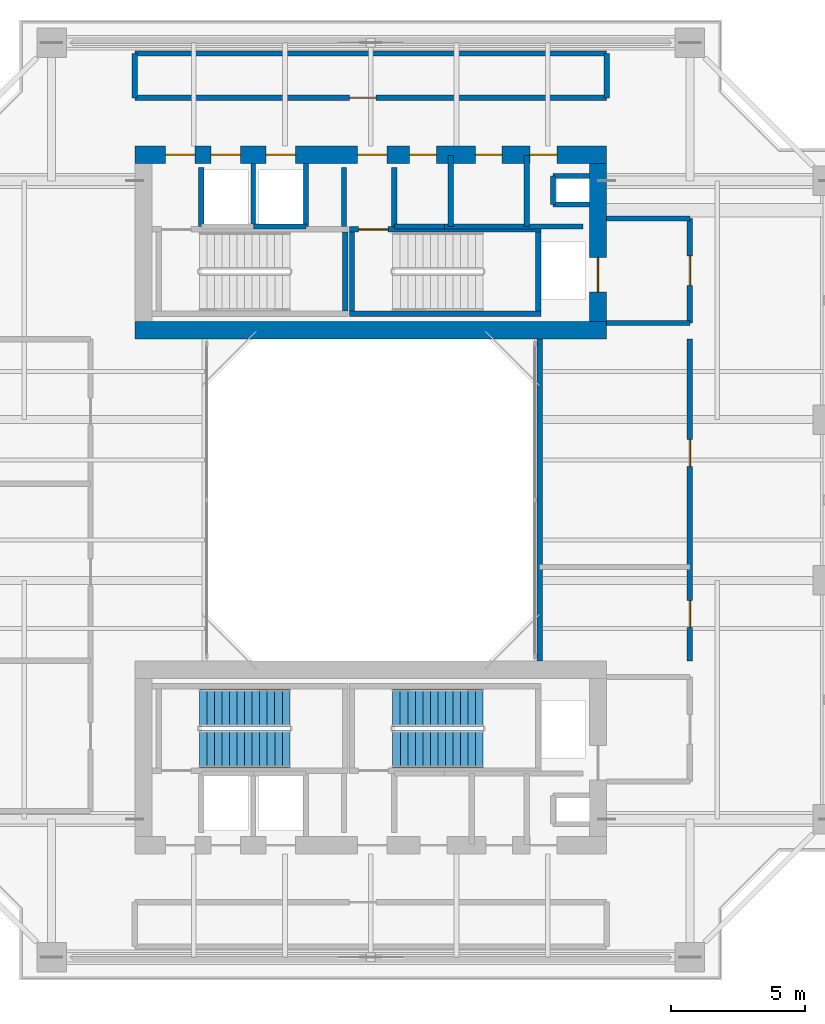
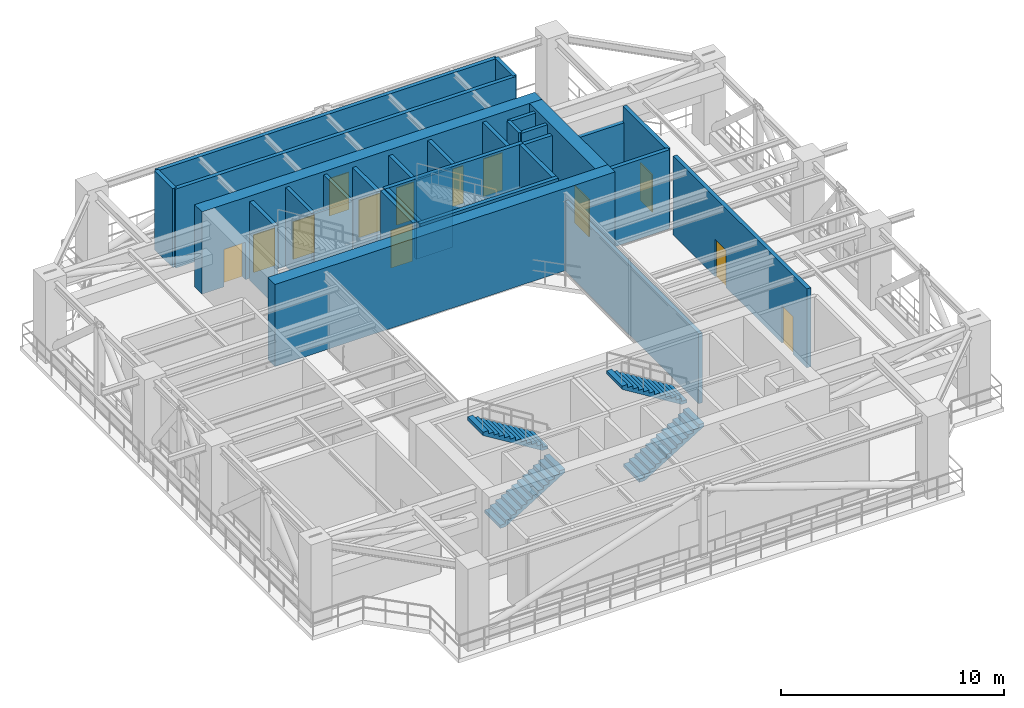
# One storey, part 7 of 11: 30 walls, 13 doors, 4 stair flights, 13 openings, 2 elements without a shape of their own.
"""IFC4 building model written with IfcOpenShell, lengths in metres."""

from ifc_helpers import new_model, si_unit, direction, frame, frame_2d, origin, place, context, subcontext, project, spatial, polyline, rectangle, outline, extrude, source, transform, mapped, material, layer, layer_set, type_object, element, fill, aggregate, save


model = new_model("IFC4")

# Units and contexts
model_context = context("Model", 3, precision=1e-05, world=origin(), true_north=direction((0.0, 1.0)))
body_context = subcontext(model_context, "Body", "Model", "MODEL_VIEW")
ifc_project = project(units=[si_unit("LENGTHUNIT", "METRE"), si_unit("AREAUNIT", "SQUARE_METRE"), si_unit("VOLUMEUNIT", "CUBIC_METRE"), si_unit("PLANEANGLEUNIT", "RADIAN"), si_unit("MASSUNIT", "GRAM", prefix="KILO"), si_unit("THERMODYNAMICTEMPERATUREUNIT", "KELVIN"), si_unit("POWERUNIT", "WATT")], contexts=[model_context])

# Site, building, storey
site_placement = place(None, origin())
site = spatial("IfcSite", under=ifc_project, at=site_placement, CompositionType="ELEMENT")
building_placement = place(site_placement, origin())
building = spatial("IfcBuilding", under=site, at=building_placement, Name="Qiaomeng Ring Towers", CompositionType="ELEMENT")
storey_placement = place(building_placement, frame((0.0, 0.0, 139.25)))
storey = spatial("IfcBuildingStorey", under=building, at=storey_placement, Name="L40", CompositionType="ELEMENT", Elevation=139.25)

# Walls
ifc_material_1 = material(Name="Autoclaved aerated concrete block", Category="concrete")
ifc_layer_1 = layer(ifc_material_1, 0.199951171875, Name="Autoclaved aerated concrete block")
ifc_layer_set_1 = layer_set([ifc_layer_1], Name="Autoclaved aerated concrete block")
wall_type_1 = type_object("IfcWallType", Name="ARC-WL-PW1", PredefinedType="PARTITIONING", material=ifc_layer_set_1)
wall_1_placement = place(storey_placement, frame((27.800048828125, 29.60009765625, 0.0), z_axis=(0.0, 0.0, 1.0), x_axis=(1.0, 0.0, 0.0)))
element("IfcWall", 1, at=wall_1_placement, inside=storey, type_object=wall_type_1, Name="L40 Interior Wall PW1", PredefinedType="PARTITIONING", context=body_context, shape_type="SweptSolid", body=[
    extrude(rectangle(XDim=3.099853515625, YDim=0.199951171875, at=frame_2d((1.5498046875, 0.0))), origin(), (0.0, 0.0, 1.0), 4.320068359375),
])
wall_2_placement = place(storey_placement, frame((27.800048828125, 33.5, 0.0), z_axis=(0.0, 0.0, 1.0), x_axis=(1.0, 0.0, 0.0)))
element("IfcWall", 2, at=wall_2_placement, inside=storey, type_object=wall_type_1, Name="L40 Interior Wall PW1", PredefinedType="PARTITIONING", context=body_context, shape_type="SweptSolid", body=[
    extrude(rectangle(XDim=3.099853515625, YDim=0.199951171875, at=frame_2d((1.5498046875, 0.0))), origin(), (0.0, 0.0, 1.0), 3.465087890625),
])

# Wall, opening, door
wall_3_placement = place(storey_placement, frame((30.89990234375, 29.60009765625, 0.0), z_axis=(0.0, 0.0, 1.0), x_axis=(0.0, 1.0, 0.0)))
wall_3 = element("IfcWall", 3, at=wall_3_placement, inside=storey, type_object=wall_type_1, Name="L40 Interior Wall PW1", PredefinedType="PARTITIONING", context=body_context, shape_type="SweptSolid", body=[
    extrude(rectangle(XDim=3.89990234375, YDim=0.199951171875, at=frame_2d((1.949951171875, 0.0))), origin(), (0.0, 0.0, 1.0), 4.320068359375),
])
opening_1_placement = place(wall_3_placement, frame((1.39990234375, 0.0, 0.0)))
opening_1 = element("IfcOpeningElement", 4, at=opening_1_placement, cuts=wall_3, Name="Opening FD3", PredefinedType="OPENING", context=body_context, shape_type="SweptSolid", body=[
    extrude(rectangle(XDim=1.10009765625, YDim=2.050048828125, at=frame_2d((0.550048828125, 1.02490234375))), frame((0.0, 0.10986328125, 0.0), z_axis=(0.0, -1.0, 0.0), x_axis=(1.0, 0.0, 0.0)), (0.0, 0.0, 1.0), 0.219970703125),
])
ifc_material_2 = material(Name="Galvanised steel", Category="steel")
door_type_1 = type_object("IfcDoorType", Name="ARC-DR-FD3", OperationType="NOTDEFINED", PredefinedType="DOOR", material=ifc_material_2)
shared_shape_1 = source(origin(), body_context, "Body", "SweptSolid", [
    extrude(rectangle(XDim=1.10009765625, YDim=2.050048828125, at=frame_2d((0.550048828125, 1.02490234375))), frame((0.0, 0.02490234375, 0.0), z_axis=(0.0, -1.0, 0.0), x_axis=(1.0, 0.0, 0.0)), (0.0, 0.0, 1.0), 0.050048828125),
])
door_1_placement = place(opening_1_placement, origin())
door_1 = element("IfcDoor", 5, at=door_1_placement, inside=storey, type_object=door_type_1, Name="L40 North FF Lobby Door", OperationType="SINGLE_SWING_RIGHT", OverallHeight=2.050048828125, OverallWidth=1.10009765625, PredefinedType="DOOR", context=body_context, shape_type="MappedRepresentation", body=[
    mapped(shared_shape_1, transform((0.0, 0.0, 0.0), x_axis=(1.0, 0.0, 0.0), y_axis=(0.0, 1.0, 0.0), z_axis=(0.0, 0.0, 1.0), scale=1.0)),
])
fill(opening_1, door_1)

# Walls
for number, where, z_axis, x_axis, name in (
    (6, (12.679931640625, 33.18994140625, 0.0), (0.0, 0.0, 1.0), (0.0, 1.0, 0.0), "L40 Interior Wall PW1"),
    (7, (18.0, 33.18994140625, 0.0), (0.0, 0.0, 1.0), (0.0, 1.0, 0.0), "L40 Interior Wall PW1"),
    (8, (19.8798828125, 33.18994140625, 0.0), (0.0, 0.0, 1.0), (0.0, 1.0, 0.0), "L40 Interior Wall PW1"),
):
    element("IfcWall", number, at=place(storey_placement, frame(where, z_axis=z_axis, x_axis=x_axis)), inside=storey, type_object=wall_type_1, Name=name, PredefinedType="PARTITIONING", context=body_context, shape_type="SweptSolid", body=[
        extrude(rectangle(XDim=2.2099609375, YDim=0.199951171875, at=frame_2d((1.10498046875, 0.0))), origin(), (0.0, 0.0, 1.0), 4.320068359375),
    ])
wall_4_placement = place(storey_placement, frame((24.820068359375, 33.199951171875, 0.0), z_axis=(0.0, 0.0, 1.0), x_axis=(0.0, 1.0, 0.0)))
element("IfcWall", 9, at=wall_4_placement, inside=storey, type_object=wall_type_1, Name="L40 Interior Wall PW1", PredefinedType="PARTITIONING", context=body_context, shape_type="SweptSolid", body=[
    extrude(rectangle(XDim=2.650146484375, YDim=0.199951171875, at=frame_2d((1.3251953125, 0.0))), origin(), (0.0, 0.0, 1.0), 4.320068359375),
])
wall_5_placement = place(storey_placement, frame((19.8798828125, 33.199951171875, 0.0), z_axis=(0.0, 0.0, 1.0), x_axis=(1.0, 0.0, 0.0)))
element("IfcWall", 10, at=wall_5_placement, inside=storey, type_object=wall_type_1, Name="L40 Interior Wall PW1", PredefinedType="PARTITIONING", context=body_context, shape_type="SweptSolid", body=[
    extrude(rectangle(XDim=1.8701171875, YDim=0.199951171875, at=frame_2d((0.93505859375, 0.0))), origin(), (0.0, 0.0, 1.0), 4.320068359375),
])
wall_6_placement = place(storey_placement, frame((21.97998046875, 33.199951171875, 0.0), z_axis=(0.0, 0.0, 1.0), x_axis=(0.0, 1.0, 0.0)))
element("IfcWall", 11, at=wall_6_placement, inside=storey, type_object=wall_type_1, Name="L40 Interior Wall PW1", PredefinedType="PARTITIONING", context=body_context, shape_type="SweptSolid", body=[
    extrude(rectangle(XDim=2.650146484375, YDim=0.199951171875, at=frame_2d((1.3251953125, 0.0))), origin(), (0.0, 0.0, 1.0), 4.320068359375),
])
wall_7_placement = place(storey_placement, frame((21.75, 33.199951171875, 0.0), z_axis=(0.0, 0.0, 1.0), x_axis=(1.0, 0.0, 0.0)))
element("IfcWall", 12, at=wall_7_placement, inside=storey, type_object=wall_type_1, Name="L40 Interior Wall PW1", PredefinedType="PARTITIONING", context=body_context, shape_type="SweptSolid", body=[
    extrude(rectangle(XDim=5.169921875, YDim=0.199951171875, at=frame_2d((2.5849609375, 0.0))), origin(), (0.0, 0.0, 1.0), 4.320068359375),
])

# Wall, opening, door
wall_8_placement = place(storey_placement, frame((10.199951171875, 38.0, 0.0), z_axis=(0.0, 0.0, 1.0), x_axis=(1.0, 0.0, 0.0)))
wall_8 = element("IfcWall", 13, at=wall_8_placement, inside=storey, type_object=wall_type_1, Name="L40 Interior Wall PW1", PredefinedType="PARTITIONING", context=body_context, shape_type="SweptSolid", body=[
    extrude(rectangle(XDim=17.60009765625, YDim=0.199951171875, at=frame_2d((8.800048828125, 0.0))), origin(), (0.0, 0.0, 1.0), 4.320068359375),
])
opening_2_placement = place(wall_8_placement, frame((8.0, 0.0, 0.0)))
opening_2 = element("IfcOpeningElement", 14, at=opening_2_placement, cuts=wall_8, Name="Opening FD1", PredefinedType="OPENING", context=body_context, shape_type="SweptSolid", body=[
    extrude(rectangle(XDim=1.0, YDim=2.050048828125, at=frame_2d((0.5, 1.02490234375))), frame((0.0, 0.10986328125, 0.0), z_axis=(0.0, -1.0, 0.0), x_axis=(1.0, 0.0, 0.0)), (0.0, 0.0, 1.0), 0.219970703125),
])
door_type_2 = type_object("IfcDoorType", Name="ARC-DR-FD1", OperationType="NOTDEFINED", PredefinedType="DOOR", material=ifc_material_2)
shared_shape_2 = source(origin(), body_context, "Body", "SweptSolid", [
    extrude(rectangle(XDim=1.0, YDim=2.050048828125, at=frame_2d((0.5, 1.02490234375))), frame((0.0, 0.02490234375, 0.0), z_axis=(0.0, -1.0, 0.0), x_axis=(1.0, 0.0, 0.0)), (0.0, 0.0, 1.0), 0.050048828125),
])
door_2_placement = place(opening_2_placement, origin())
door_2 = element("IfcDoor", 15, at=door_2_placement, inside=storey, type_object=door_type_2, Name="L40 Door FD1", OperationType="SINGLE_SWING_RIGHT", OverallHeight=2.050048828125, OverallWidth=1.0, PredefinedType="DOOR", context=body_context, shape_type="MappedRepresentation", body=[
    mapped(shared_shape_2, transform((0.0, 0.0, 0.0), x_axis=(1.0, 0.0, 0.0), y_axis=(0.0, 1.0, 0.0), z_axis=(0.0, 0.0, 1.0), scale=1.0)),
])
fill(opening_2, door_2)

# Walls
for number, where, z_axis, x_axis, name in (
    (16, (10.199951171875, 38.0, 0.0), (0.0, 0.0, 1.0), (0.0, 1.0, 0.0), "L40 Interior Wall PW1"),
    (17, (27.800048828125, 38.0, 0.0), (0.0, 0.0, 1.0), (0.0, 1.0, 0.0), "L40 Interior Wall PW1"),
):
    element("IfcWall", number, at=place(storey_placement, frame(where, z_axis=z_axis, x_axis=x_axis)), inside=storey, type_object=wall_type_1, Name=name, PredefinedType="PARTITIONING", context=body_context, shape_type="SweptSolid", body=[
        extrude(rectangle(XDim=1.64990234375, YDim=0.199951171875, at=frame_2d((0.824951171875, 0.0))), origin(), (0.0, 0.0, 1.0), 4.320068359375),
    ])
wall_9_placement = place(storey_placement, frame((10.199951171875, 39.64990234375, 0.0), z_axis=(0.0, 0.0, 1.0), x_axis=(1.0, 0.0, 0.0)))
element("IfcWall", 18, at=wall_9_placement, inside=storey, type_object=wall_type_1, Name="L40 Interior Wall PW1", PredefinedType="PARTITIONING", context=body_context, shape_type="SweptSolid", body=[
    extrude(rectangle(XDim=17.60009765625, YDim=0.199951171875, at=frame_2d((8.800048828125, 0.0))), origin(), (0.0, 0.0, 1.0), 4.320068359375),
])
wall_10_placement = place(storey_placement, frame((25.300048828125, 17.0, 0.0), z_axis=(0.0, 0.0, 1.0), x_axis=(0.0, 1.0, 0.0)))
element("IfcWall", 19, at=wall_10_placement, inside=storey, type_object=wall_type_1, Name="L40 Interior Wall PW1", PredefinedType="PARTITIONING", context=body_context, shape_type="SweptSolid", body=[
    extrude(rectangle(XDim=12.0, YDim=0.199951171875, at=frame_2d((6.0, 0.0))), origin(), (0.0, 0.0, 1.0), 3.81494140625),
])

# Wall, openings, doors
wall_11_placement = place(storey_placement, frame((30.89990234375, 17.0, 0.0), z_axis=(0.0, 0.0, 1.0), x_axis=(0.0, 1.0, 0.0)))
wall_11 = element("IfcWall", 20, at=wall_11_placement, inside=storey, type_object=wall_type_1, Name="L40 Interior Wall PW1", PredefinedType="PARTITIONING", context=body_context, shape_type="SweptSolid", body=[
    extrude(rectangle(XDim=12.0, YDim=0.199951171875, at=frame_2d((6.0, 0.0))), origin(), (0.0, 0.0, 1.0), 4.320068359375),
])
opening_3_placement = place(wall_11_placement, frame((1.25, 0.0, 0.0)))
opening_3 = element("IfcOpeningElement", 21, at=opening_3_placement, cuts=wall_11, Name="Opening FD1", PredefinedType="OPENING", context=body_context, shape_type="SweptSolid", body=[
    extrude(rectangle(XDim=1.0, YDim=2.050048828125, at=frame_2d((0.5, 1.02490234375))), frame((0.0, 0.10986328125, 0.0), z_axis=(0.0, -1.0, 0.0), x_axis=(1.0, 0.0, 0.0)), (0.0, 0.0, 1.0), 0.219970703125),
])
opening_4_placement = place(wall_11_placement, frame((7.25, 0.0, 0.0)))
opening_4 = element("IfcOpeningElement", 22, at=opening_4_placement, cuts=wall_11, Name="Opening FD1", PredefinedType="OPENING", context=body_context, shape_type="SweptSolid", body=[
    extrude(rectangle(XDim=1.0, YDim=2.050048828125, at=frame_2d((0.5, 1.02490234375))), frame((0.0, 0.10986328125, 0.0), z_axis=(0.0, -1.0, 0.0), x_axis=(1.0, 0.0, 0.0)), (0.0, 0.0, 1.0), 0.219970703125),
])
door_3_placement = place(opening_3_placement, origin())
door_3 = element("IfcDoor", 23, at=door_3_placement, inside=storey, type_object=door_type_2, Name="L40 Door FD1", OperationType="SINGLE_SWING_LEFT", OverallHeight=2.050048828125, OverallWidth=1.0, PredefinedType="DOOR", context=body_context, shape_type="MappedRepresentation", body=[
    mapped(shared_shape_2, transform((0.0, 0.0, 0.0), x_axis=(1.0, 0.0, 0.0), y_axis=(0.0, 1.0, 0.0), z_axis=(0.0, 0.0, 1.0), scale=1.0)),
])
fill(opening_3, door_3)
door_4_placement = place(opening_4_placement, origin())
door_4 = element("IfcDoor", 24, at=door_4_placement, inside=storey, type_object=door_type_2, Name="L40 Door FD1", OperationType="SINGLE_SWING_RIGHT", OverallHeight=2.050048828125, OverallWidth=1.0, PredefinedType="DOOR", context=body_context, shape_type="MappedRepresentation", body=[
    mapped(shared_shape_2, transform((0.0, 0.0, 0.0), x_axis=(1.0, 0.0, 0.0), y_axis=(0.0, 1.0, 0.0), z_axis=(0.0, 0.0, 1.0), scale=1.0)),
])
fill(opening_4, door_4)

# Walls
ifc_material_3 = material(Name="Concrete C40", Category="concrete")
ifc_layer_2 = layer(ifc_material_3, 0.199951171875, Name="Concrete C40")
ifc_layer_set_2 = layer_set([ifc_layer_2], Name="Concrete C40")
wall_type_2 = type_object("IfcWallType", Name="STR-WL-STSHAFT", PredefinedType="SHEAR", material=ifc_layer_set_2)
wall_12_placement = place(storey_placement, frame((14.6201171875, 33.199951171875, 0.0), z_axis=(0.0, 0.0, 1.0), x_axis=(0.0, 1.0, 0.0)))
element("IfcWall", 25, at=wall_12_placement, inside=storey, type_object=wall_type_2, Name="L40 Lift LP5-LP3 Shaft Divider Wall", PredefinedType="SHEAR", context=body_context, shape_type="SweptSolid", body=[
    extrude(rectangle(XDim=2.35009765625, YDim=0.179931640625, at=frame_2d((1.175048828125, 0.0))), origin(), (0.0, 0.0, 1.0), 4.320068359375),
])
wall_13_placement = place(storey_placement, frame((25.800048828125, 34.02001953125, 0.0), z_axis=(0.0, 0.0, 1.0), x_axis=(0.0, 1.0, 0.0)))
element("IfcWall", 26, at=wall_13_placement, inside=storey, type_object=wall_type_2, Name="L40 Riser RSR1 West Shaft Wall N", PredefinedType="SHEAR", context=body_context, shape_type="SweptSolid", body=[
    extrude(rectangle(XDim=1.06005859375, YDim=0.179931640625, at=frame_2d((0.530029296875, 0.0))), origin(), (0.0, 0.0, 1.0), 4.320068359375),
])
for number, where, z_axis, x_axis, name in (
    (27, (25.800048828125, 35.080078125, 0.0), (0.0, 0.0, 1.0), (1.0, 0.0, 0.0), "L40 Riser RSR1 North Shaft Wall N"),
    (28, (25.800048828125, 34.02001953125, 0.0), (0.0, 0.0, 1.0), (1.0, 0.0, 0.0), "L40 Riser RSR1 South Shaft Wall N"),
):
    element("IfcWall", number, at=place(storey_placement, frame(where, z_axis=z_axis, x_axis=x_axis)), inside=storey, type_object=wall_type_2, Name=name, PredefinedType="SHEAR", context=body_context, shape_type="SweptSolid", body=[
        extrude(rectangle(XDim=1.349853515625, YDim=0.179931640625, at=frame_2d((0.6748046875, 0.0))), origin(), (0.0, 0.0, 1.0), 4.320068359375),
    ])
wall_14_placement = place(storey_placement, frame((14.6201171875, 33.199951171875, 0.0), z_axis=(0.0, 0.0, 1.0), x_axis=(1.0, 0.0, 0.0)))
element("IfcWall", 29, at=wall_14_placement, inside=storey, type_object=wall_type_2, Name="L40 Lift LP3 Shaft Back Wall", PredefinedType="SHEAR", context=body_context, shape_type="SweptSolid", body=[
    extrude(rectangle(XDim=1.9599609375, YDim=0.179931640625, at=frame_2d((0.97998046875, 0.0))), origin(), (0.0, 0.0, 1.0), 4.320068359375),
])
wall_15_placement = place(storey_placement, frame((16.580078125, 33.199951171875, 0.0), z_axis=(0.0, 0.0, 1.0), x_axis=(0.0, 1.0, 0.0)))
element("IfcWall", 30, at=wall_15_placement, inside=storey, type_object=wall_type_2, Name="L40 Lift LP3 East Shaft Wall", PredefinedType="SHEAR", context=body_context, shape_type="SweptSolid", body=[
    extrude(rectangle(XDim=2.35009765625, YDim=0.179931640625, at=frame_2d((1.175048828125, 0.0))), origin(), (0.0, 0.0, 1.0), 4.320068359375),
])
wall_16_placement = place(storey_placement, frame((18.050048828125, 30.050048828125, 0.0), z_axis=(0.0, 0.0, 1.0), x_axis=(0.0, 1.0, 0.0)))
element("IfcWall", 31, at=wall_16_placement, inside=storey, type_object=wall_type_2, Name="L40 Stair ST1 East Shaft Shear Wall", PredefinedType="SHEAR", context=body_context, shape_type="SweptSolid", body=[
    extrude(rectangle(XDim=2.93994140625, YDim=0.199951171875, at=frame_2d((1.469970703125, 0.0))), origin(), (0.0, 0.0, 1.0), 4.5),
])
wall_17_placement = place(storey_placement, frame((18.199951171875, 29.949951171875, 0.0), z_axis=(0.0, 0.0, 1.0), x_axis=(1.0, 0.0, 0.0)))
element("IfcWall", 32, at=wall_17_placement, inside=storey, type_object=wall_type_2, Name="L40 Stair ST2 South Shaft Shear Wall", PredefinedType="SHEAR", context=body_context, shape_type="SweptSolid", body=[
    extrude(rectangle(XDim=7.150146484375, YDim=0.199951171875, at=frame_2d((3.5751953125, 0.0))), origin(), (0.0, 0.0, 1.0), 4.5),
])

# Wall, opening, door
wall_18_placement = place(storey_placement, frame((18.199951171875, 33.090087890625, 0.0), z_axis=(0.0, 0.0, 1.0), x_axis=(1.0, 0.0, 0.0)))
wall_18 = element("IfcWall", 33, at=wall_18_placement, inside=storey, type_object=wall_type_2, Name="L40 Stair ST2 North Shaft Shear Wall", PredefinedType="SHEAR", context=body_context, shape_type="SweptSolid", body=[
    extrude(rectangle(XDim=7.150146484375, YDim=0.199951171875, at=frame_2d((3.5751953125, 0.0))), origin(), (0.0, 0.0, 1.0), 4.5),
])
opening_5_placement = place(wall_18_placement, frame((0.35009765625, 0.0, 0.0)))
opening_5 = element("IfcOpeningElement", 34, at=opening_5_placement, cuts=wall_18, Name="Opening FD3", PredefinedType="OPENING", context=body_context, shape_type="SweptSolid", body=[
    extrude(rectangle(XDim=1.10009765625, YDim=2.050048828125, at=frame_2d((0.550048828125, 1.02490234375))), frame((0.0, 0.10986328125, 0.0), z_axis=(0.0, -1.0, 0.0), x_axis=(1.0, 0.0, 0.0)), (0.0, 0.0, 1.0), 0.219970703125),
])
door_5_placement = place(opening_5_placement, origin())
door_5 = element("IfcDoor", 35, at=door_5_placement, inside=storey, type_object=door_type_1, Name="L40 Stair ST2 Exit Door", OperationType="SINGLE_SWING_LEFT", OverallHeight=2.050048828125, OverallWidth=1.10009765625, PredefinedType="DOOR", context=body_context, shape_type="MappedRepresentation", body=[
    mapped(shared_shape_1, transform((0.0, 0.0, 0.0), x_axis=(1.0, 0.0, 0.0), y_axis=(0.0, 1.0, 0.0), z_axis=(0.0, 0.0, 1.0), scale=1.0)),
])
fill(opening_5, door_5)

# Walls
for number, where, z_axis, x_axis, name in (
    (36, (18.300048828125, 30.050048828125, 0.0), (0.0, 0.0, 1.0), (0.0, 1.0, 0.0), "L40 Stair ST2 West Shaft Shear Wall"),
    (37, (25.25, 30.050048828125, 0.0), (0.0, 0.0, 1.0), (0.0, 1.0, 0.0), "L40 Stair ST2 East Shaft Shear Wall"),
):
    element("IfcWall", number, at=place(storey_placement, frame(where, z_axis=z_axis, x_axis=x_axis)), inside=storey, type_object=wall_type_2, Name=name, PredefinedType="SHEAR", context=body_context, shape_type="SweptSolid", body=[
        extrude(rectangle(XDim=2.93994140625, YDim=0.199951171875, at=frame_2d((1.469970703125, 0.0))), origin(), (0.0, 0.0, 1.0), 4.5),
    ])
ifc_material_4 = material(Name="Concrete C55", Category="concrete")
ifc_layer_3 = layer(ifc_material_4, 0.64990234375, Name="Concrete C55")
ifc_layer_set_3 = layer_set([ifc_layer_3], Name="Concrete C55")
wall_type_3 = type_object("IfcWallType", Name="STR-WL-SW2A", PredefinedType="SHEAR", material=ifc_layer_set_3)
wall_19_placement = place(storey_placement, frame((10.199951171875, 29.324951171875, 0.0), z_axis=(0.0, 0.0, 1.0), x_axis=(1.0, 0.0, 0.0)))
element("IfcWall", 38, at=wall_19_placement, inside=storey, type_object=wall_type_3, Name="L40 T1NC south core shear wall", PredefinedType="SHEAR", context=body_context, shape_type="SweptSolid", body=[
    extrude(rectangle(XDim=17.60009765625, YDim=0.64990234375, at=frame_2d((8.800048828125, 0.0))), origin(), (0.0, 0.0, 1.0), 4.5),
])

# Wall, openings, doors
wall_20_placement = place(storey_placement, frame((10.199951171875, 35.875, 0.0), z_axis=(0.0, 0.0, 1.0), x_axis=(1.0, 0.0, 0.0)))
wall_20 = element("IfcWall", 39, at=wall_20_placement, inside=storey, type_object=wall_type_3, Name="L40 T1NC north core shear wall", PredefinedType="SHEAR", context=body_context, shape_type="SweptSolid", body=[
    extrude(rectangle(XDim=17.60009765625, YDim=0.64990234375, at=frame_2d((8.800048828125, 0.0))), origin(), (0.0, 0.0, 1.0), 4.5),
])
opening_6_placement = place(wall_20_placement, frame((1.14990234375, 0.0, 0.0)))
opening_6 = element("IfcOpeningElement", 40, at=opening_6_placement, cuts=wall_20, Name="Opening FD3", PredefinedType="OPENING", context=body_context, shape_type="SweptSolid", body=[
    extrude(rectangle(XDim=1.10009765625, YDim=2.050048828125, at=frame_2d((0.550048828125, 1.02490234375))), frame((0.0, 0.3349609375, 0.0), z_axis=(0.0, -1.0, 0.0), x_axis=(1.0, 0.0, 0.0)), (0.0, 0.0, 1.0), 0.669921875),
])
opening_7_placement = place(wall_20_placement, frame((8.300048828125, 0.0, 0.0)))
opening_7 = element("IfcOpeningElement", 41, at=opening_7_placement, cuts=wall_20, Name="Opening FD3", PredefinedType="OPENING", context=body_context, shape_type="SweptSolid", body=[
    extrude(rectangle(XDim=1.10009765625, YDim=2.050048828125, at=frame_2d((0.550048828125, 1.02490234375))), frame((0.0, 0.3349609375, 0.0), z_axis=(0.0, -1.0, 0.0), x_axis=(1.0, 0.0, 0.0)), (0.0, 0.0, 1.0), 0.669921875),
])
opening_8_placement = place(wall_20_placement, frame((4.89990234375, 0.0, 0.0)))
opening_8 = element("IfcOpeningElement", 42, at=opening_8_placement, cuts=wall_20, Name="Opening LD1", PredefinedType="OPENING", context=body_context, shape_type="SweptSolid", body=[
    extrude(rectangle(XDim=1.10009765625, YDim=2.050048828125, at=frame_2d((0.550048828125, 1.02490234375))), frame((0.0, 0.3349609375, 0.0), z_axis=(0.0, -1.0, 0.0), x_axis=(1.0, 0.0, 0.0)), (0.0, 0.0, 1.0), 0.669921875),
])
opening_9_placement = place(wall_20_placement, frame((2.85009765625, 0.0, 0.0)))
opening_9 = element("IfcOpeningElement", 43, at=opening_9_placement, cuts=wall_20, Name="Opening LD1", PredefinedType="OPENING", context=body_context, shape_type="SweptSolid", body=[
    extrude(rectangle(XDim=1.10009765625, YDim=2.050048828125, at=frame_2d((0.550048828125, 1.02490234375))), frame((0.0, 0.3349609375, 0.0), z_axis=(0.0, -1.0, 0.0), x_axis=(1.0, 0.0, 0.0)), (0.0, 0.0, 1.0), 0.669921875),
])
opening_10_placement = place(wall_20_placement, frame((14.739990234375, 0.0, 0.0)))
opening_10 = element("IfcOpeningElement", 44, at=opening_10_placement, cuts=wall_20, Name="Opening FD1", PredefinedType="OPENING", context=body_context, shape_type="SweptSolid", body=[
    extrude(rectangle(XDim=1.0, YDim=2.050048828125, at=frame_2d((0.5, 1.02490234375))), frame((0.0, 0.3349609375, 0.0), z_axis=(0.0, -1.0, 0.0), x_axis=(1.0, 0.0, 0.0)), (0.0, 0.0, 1.0), 0.669921875),
])
opening_11_placement = place(wall_20_placement, frame((10.25, 0.0, 0.0)))
opening_11 = element("IfcOpeningElement", 45, at=opening_11_placement, cuts=wall_20, Name="Opening FD1", PredefinedType="OPENING", context=body_context, shape_type="SweptSolid", body=[
    extrude(rectangle(XDim=1.0, YDim=2.050048828125, at=frame_2d((0.5, 1.02490234375))), frame((0.0, 0.3349609375, 0.0), z_axis=(0.0, -1.0, 0.0), x_axis=(1.0, 0.0, 0.0)), (0.0, 0.0, 1.0), 0.669921875),
])
opening_12_placement = place(wall_20_placement, frame((12.699951171875, 0.0, 0.0)))
opening_12 = element("IfcOpeningElement", 46, at=opening_12_placement, cuts=wall_20, Name="Opening FD1", PredefinedType="OPENING", context=body_context, shape_type="SweptSolid", body=[
    extrude(rectangle(XDim=1.0, YDim=2.050048828125, at=frame_2d((0.5, 1.02490234375))), frame((0.0, 0.3349609375, 0.0), z_axis=(0.0, -1.0, 0.0), x_axis=(1.0, 0.0, 0.0)), (0.0, 0.0, 1.0), 0.669921875),
])
door_6_placement = place(opening_6_placement, origin())
door_6 = element("IfcDoor", 47, at=door_6_placement, inside=storey, type_object=door_type_1, Name="L40 Stair ST1 Lobby Door", OperationType="SINGLE_SWING_RIGHT", OverallHeight=2.050048828125, OverallWidth=1.10009765625, PredefinedType="DOOR", context=body_context, shape_type="MappedRepresentation", body=[
    mapped(shared_shape_1, transform((0.0, 0.0, 0.0), x_axis=(1.0, 0.0, 0.0), y_axis=(0.0, 1.0, 0.0), z_axis=(0.0, 0.0, 1.0), scale=1.0)),
])
fill(opening_6, door_6)
door_7_placement = place(opening_7_placement, origin())
door_7 = element("IfcDoor", 48, at=door_7_placement, inside=storey, type_object=door_type_1, Name="L40 Stair ST2 Lobby Door", OperationType="SINGLE_SWING_RIGHT", OverallHeight=2.050048828125, OverallWidth=1.10009765625, PredefinedType="DOOR", context=body_context, shape_type="MappedRepresentation", body=[
    mapped(shared_shape_1, transform((0.0, 0.0, 0.0), x_axis=(1.0, 0.0, 0.0), y_axis=(0.0, 1.0, 0.0), z_axis=(0.0, 0.0, 1.0), scale=1.0)),
])
fill(opening_7, door_7)
ifc_material_5 = material(Name="Stainless steel 316", Category="steel")
door_type_3 = type_object("IfcDoorType", Name="ARC-DR-LD1", OperationType="NOTDEFINED", PredefinedType="DOOR", material=ifc_material_5)
door_8_placement = place(opening_8_placement, origin())
door_8 = element("IfcDoor", 49, at=door_8_placement, inside=storey, type_object=door_type_3, Name="L40 Mid-Zone Lift LP3 Landing Door", OperationType="SLIDING_TO_LEFT", OverallHeight=2.050048828125, OverallWidth=1.10009765625, PredefinedType="DOOR", context=body_context, shape_type="MappedRepresentation", body=[
    mapped(shared_shape_1, transform((0.0, 0.0, 0.0), x_axis=(1.0, 0.0, 0.0), y_axis=(0.0, 1.0, 0.0), z_axis=(0.0, 0.0, 1.0), scale=1.0)),
])
fill(opening_8, door_8)
door_9_placement = place(opening_9_placement, origin())
door_9 = element("IfcDoor", 50, at=door_9_placement, inside=storey, type_object=door_type_3, Name="L40 High-Zone Lift LP5 Landing Door", OperationType="SLIDING_TO_LEFT", OverallHeight=2.050048828125, OverallWidth=1.10009765625, PredefinedType="DOOR", context=body_context, shape_type="MappedRepresentation", body=[
    mapped(shared_shape_1, transform((0.0, 0.0, 0.0), x_axis=(1.0, 0.0, 0.0), y_axis=(0.0, 1.0, 0.0), z_axis=(0.0, 0.0, 1.0), scale=1.0)),
])
fill(opening_9, door_9)
door_10_placement = place(opening_10_placement, origin())
door_10 = element("IfcDoor", 51, at=door_10_placement, inside=storey, type_object=door_type_2, Name="L40 North Electrical Riser Door", OperationType="SINGLE_SWING_RIGHT", OverallHeight=2.050048828125, OverallWidth=1.0, PredefinedType="DOOR", context=body_context, shape_type="MappedRepresentation", body=[
    mapped(shared_shape_2, transform((0.0, 0.0, 0.0), x_axis=(1.0, 0.0, 0.0), y_axis=(0.0, 1.0, 0.0), z_axis=(0.0, 0.0, 1.0), scale=1.0)),
])
fill(opening_10, door_10)
door_11_placement = place(opening_11_placement, origin())
door_11 = element("IfcDoor", 52, at=door_11_placement, inside=storey, type_object=door_type_2, Name="L40 Electrical Switchgear Room Door", OperationType="SINGLE_SWING_RIGHT", OverallHeight=2.050048828125, OverallWidth=1.0, PredefinedType="DOOR", context=body_context, shape_type="MappedRepresentation", body=[
    mapped(shared_shape_2, transform((0.0, 0.0, 0.0), x_axis=(1.0, 0.0, 0.0), y_axis=(0.0, 1.0, 0.0), z_axis=(0.0, 0.0, 1.0), scale=1.0)),
])
fill(opening_11, door_11)
door_12_placement = place(opening_12_placement, origin())
door_12 = element("IfcDoor", 53, at=door_12_placement, inside=storey, type_object=door_type_2, Name="L40 North Facilities Management Office Door", OperationType="SINGLE_SWING_LEFT", OverallHeight=2.050048828125, OverallWidth=1.0, PredefinedType="DOOR", context=body_context, shape_type="MappedRepresentation", body=[
    mapped(shared_shape_2, transform((0.0, 0.0, 0.0), x_axis=(1.0, 0.0, 0.0), y_axis=(0.0, 1.0, 0.0), z_axis=(0.0, 0.0, 1.0), scale=1.0)),
])
fill(opening_12, door_12)

# Wall, opening, door
wall_21_placement = place(storey_placement, frame((27.47509765625, 29.64990234375, 0.0), z_axis=(0.0, 0.0, 1.0), x_axis=(0.0, 1.0, 0.0)))
wall_21 = element("IfcWall", 54, at=wall_21_placement, inside=storey, type_object=wall_type_3, Name="L40 T1NC east core shear wall", PredefinedType="SHEAR", context=body_context, shape_type="SweptSolid", body=[
    extrude(rectangle(XDim=5.900146484375, YDim=0.64990234375, at=frame_2d((2.9501953125, 0.0))), origin(), (0.0, 0.0, 1.0), 4.5),
])
opening_13_placement = place(wall_21_placement, frame((1.10009765625, 0.0, 0.0)))
opening_13 = element("IfcOpeningElement", 55, at=opening_13_placement, cuts=wall_21, Name="Opening LD2", PredefinedType="OPENING", context=body_context, shape_type="SweptSolid", body=[
    extrude(rectangle(XDim=1.300048828125, YDim=2.050048828125, at=frame_2d((0.64990234375, 1.02490234375))), frame((0.0, 0.3349609375, 0.0), z_axis=(0.0, -1.0, 0.0), x_axis=(1.0, 0.0, 0.0)), (0.0, 0.0, 1.0), 0.669921875),
])
door_type_4 = type_object("IfcDoorType", Name="ARC-DR-LD2", OperationType="NOTDEFINED", PredefinedType="DOOR", material=ifc_material_5)
shared_shape_3 = source(origin(), body_context, "Body", "SweptSolid", [
    extrude(rectangle(XDim=1.300048828125, YDim=2.050048828125, at=frame_2d((0.64990234375, 1.02490234375))), frame((0.0, 0.02490234375, 0.0), z_axis=(0.0, -1.0, 0.0), x_axis=(1.0, 0.0, 0.0)), (0.0, 0.0, 1.0), 0.050048828125),
])
door_13_placement = place(opening_13_placement, origin())
door_13 = element("IfcDoor", 56, at=door_13_placement, inside=storey, type_object=door_type_4, Name="L40 Firefighting Lift FL1 Landing Door", OperationType="SLIDING_TO_LEFT", OverallHeight=2.050048828125, OverallWidth=1.300048828125, PredefinedType="DOOR", context=body_context, shape_type="MappedRepresentation", body=[
    mapped(shared_shape_3, transform((0.0, 0.0, 0.0), x_axis=(1.0, 0.0, 0.0), y_axis=(0.0, 1.0, 0.0), z_axis=(0.0, 0.0, 1.0), scale=1.0)),
])
fill(opening_13, door_13)

# Stair, stair flights
ifc_material_6 = material(Name="Precast concrete C40", Category="concrete")
stair_type = type_object("IfcStairType", Name="ARC-ST-450", PredefinedType="HALF_TURN_STAIR", material=ifc_material_6)
stair_1_placement = place(storey_placement, origin())
stair_1 = element("IfcStair", 57, at=stair_1_placement, inside=storey, type_object=stair_type, Name="L40 Tower 1 South Stair 3", PredefinedType="HALF_TURN_STAIR")
stair_flight_type = type_object("IfcStairFlightType", Name="ARC-ST-450-FL", PredefinedType="STRAIGHT", material=ifc_material_6)
shared_shape_4 = source(origin(), body_context, "Body", "SweptSolid", [
    extrude(outline(polyline([(0.0, 0.0), (0.0, 0.173095703125), (0.280029296875, 0.173095703125), (0.280029296875, 0.34619140625), (0.56005859375, 0.34619140625), (0.56005859375, 0.519287109375), (0.840087890625, 0.519287109375), (0.840087890625, 0.6923828125), (1.1201171875, 0.6923828125), (1.1201171875, 0.865478515625), (1.39990234375, 0.865478515625), (1.39990234375, 1.03857421875), (1.679931640625, 1.03857421875), (1.679931640625, 1.21142578125), (1.9599609375, 1.21142578125), (1.9599609375, 1.384521484375), (2.239990234375, 1.384521484375), (2.239990234375, 1.5576171875), (2.52001953125, 1.5576171875), (2.52001953125, 1.730712890625), (2.800048828125, 1.730712890625), (2.800048828125, 1.90380859375), (3.080078125, 1.90380859375), (3.080078125, 2.076904296875), (3.360107421875, 2.076904296875), (3.360107421875, 2.25), (3.360107421875, 1.900634765625), (0.28515625, 0.0), (0.0, 0.0)])), frame((0.0, 0.699951171875, 0.0), z_axis=(0.0, -1.0, 0.0), x_axis=(1.0, 0.0, 0.0)), (0.0, 0.0, 1.0), 1.39990234375),
])
stair_flight_1_placement = place(storey_placement, frame((12.6201171875, 13.7099609375, 0.0), z_axis=(0.0, 0.0, 1.0), x_axis=(1.0, 0.0, 0.0)))
stair_flight_1 = element("IfcStairFlight", 58, at=stair_flight_1_placement, type_object=stair_flight_type, Name="ST3 flight 1", NumberOfRisers=13, NumberOfTreads=12, PredefinedType="STRAIGHT", RiserHeight=0.173076923, TreadLength=0.28, context=body_context, shape_type="MappedRepresentation", body=[
    mapped(shared_shape_4, transform((0.0, 0.0, 0.0), x_axis=(1.0, 0.0, 0.0), y_axis=(0.0, 1.0, 0.0), z_axis=(0.0, 0.0, 1.0), scale=1.0)),
])
stair_flight_2_placement = place(storey_placement, frame((15.97998046875, 15.25, 2.25), z_axis=(0.0, 0.0, 1.0), x_axis=(-1.0, 0.0, 0.0)))
stair_flight_2 = element("IfcStairFlight", 59, at=stair_flight_2_placement, type_object=stair_flight_type, Name="ST3 flight 2", NumberOfRisers=13, NumberOfTreads=12, PredefinedType="STRAIGHT", RiserHeight=0.173076923, TreadLength=0.28, context=body_context, shape_type="MappedRepresentation", body=[
    mapped(shared_shape_4, transform((0.0, 0.0, 0.0), x_axis=(1.0, 0.0, 0.0), y_axis=(0.0, 1.0, 0.0), z_axis=(0.0, 0.0, 1.0), scale=1.0)),
])
aggregate(stair_1, [stair_flight_1, stair_flight_2])

stair_2_placement = place(storey_placement, origin())
stair_2 = element("IfcStair", 60, at=stair_2_placement, inside=storey, type_object=stair_type, Name="L40 Tower 1 South Stair 4", PredefinedType="HALF_TURN_STAIR")
stair_flight_3_placement = place(storey_placement, frame((19.820068359375, 13.7099609375, 0.0), z_axis=(0.0, 0.0, 1.0), x_axis=(1.0, 0.0, 0.0)))
stair_flight_3 = element("IfcStairFlight", 61, at=stair_flight_3_placement, type_object=stair_flight_type, Name="ST4 flight 1", NumberOfRisers=13, NumberOfTreads=12, PredefinedType="STRAIGHT", RiserHeight=0.173076923, TreadLength=0.28, context=body_context, shape_type="MappedRepresentation", body=[
    mapped(shared_shape_4, transform((0.0, 0.0, 0.0), x_axis=(1.0, 0.0, 0.0), y_axis=(0.0, 1.0, 0.0), z_axis=(0.0, 0.0, 1.0), scale=1.0)),
])
stair_flight_4_placement = place(storey_placement, frame((23.179931640625, 15.25, 2.25), z_axis=(0.0, 0.0, 1.0), x_axis=(-1.0, 0.0, 0.0)))
stair_flight_4 = element("IfcStairFlight", 62, at=stair_flight_4_placement, type_object=stair_flight_type, Name="ST4 flight 2", NumberOfRisers=13, NumberOfTreads=12, PredefinedType="STRAIGHT", RiserHeight=0.173076923, TreadLength=0.28, context=body_context, shape_type="MappedRepresentation", body=[
    mapped(shared_shape_4, transform((0.0, 0.0, 0.0), x_axis=(1.0, 0.0, 0.0), y_axis=(0.0, 1.0, 0.0), z_axis=(0.0, 0.0, 1.0), scale=1.0)),
])
aggregate(stair_2, [stair_flight_3, stair_flight_4])

save(model, "model.ifc")
